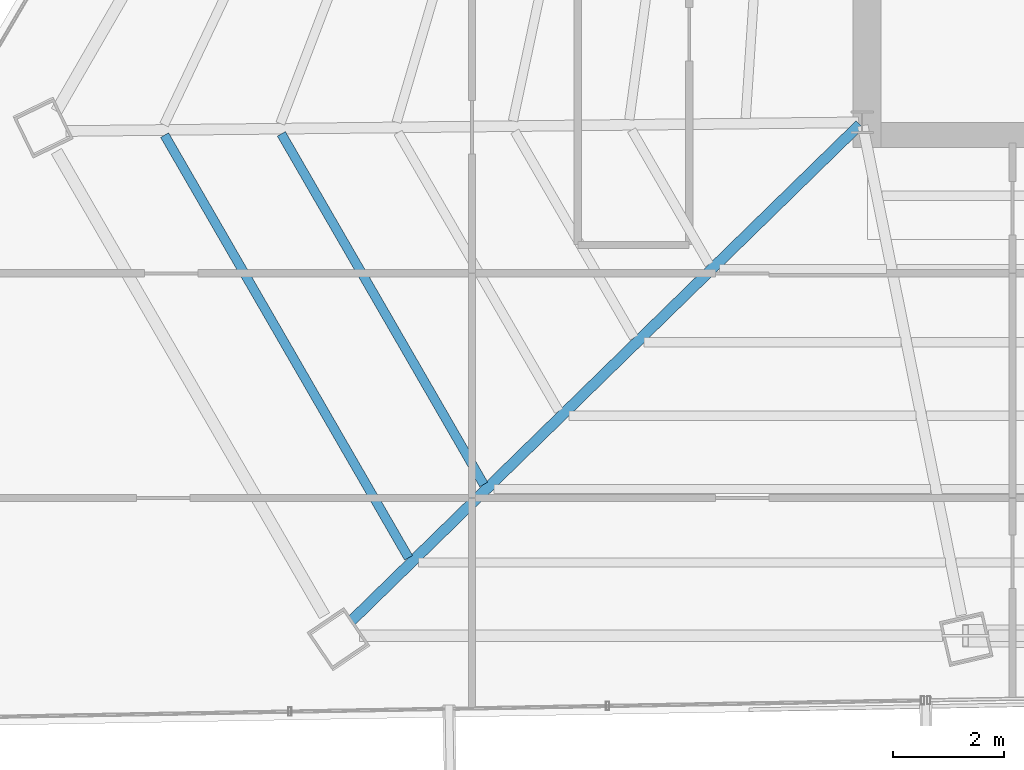
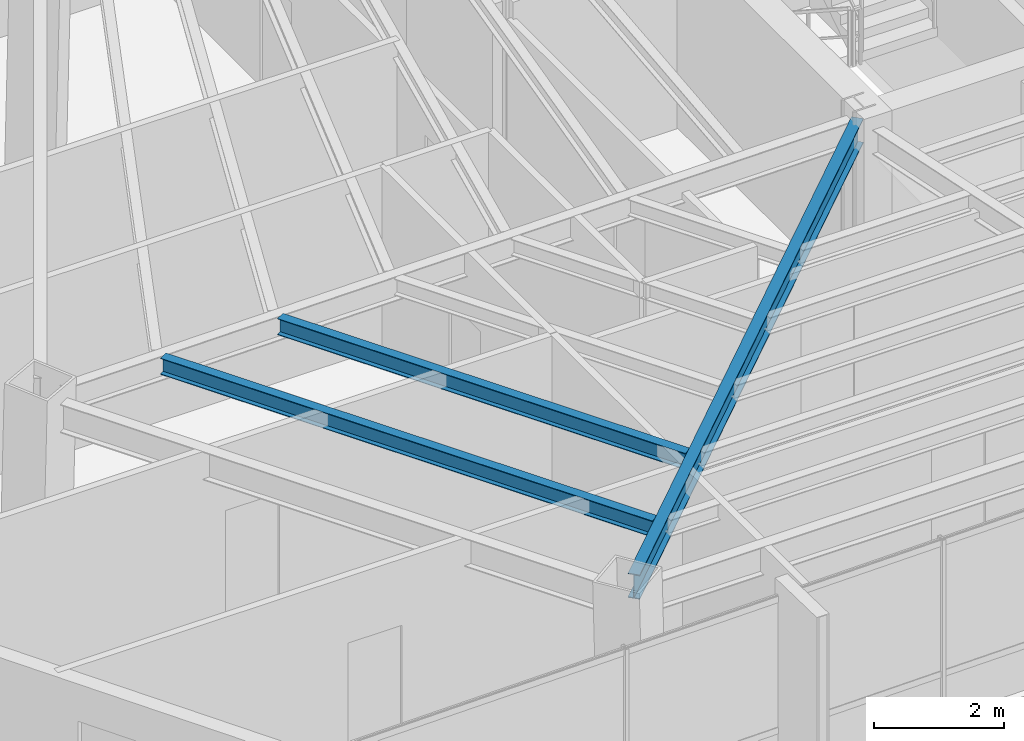
# One storey, part 7 of 42: 3 beams.
"""IFC4 building model written with IfcOpenShell, lengths in metres."""

from ifc_helpers import new_model, si_unit, direction, frame, origin, origin_2d, place, context, subcontext, project, spatial, i_section, extrude, source, transform, mapped, material, material_profile, profile_set, type_object, type_shapes, element, save


model = new_model("IFC4")

# Units and contexts
model_context = context("Model", 3, precision=1e-05, world=origin(), true_north=direction((0.0, 1.0)))
body_context = subcontext(model_context, "Body", "Model", "MODEL_VIEW")
ifc_project = project(units=[si_unit("LENGTHUNIT", "METRE"), si_unit("AREAUNIT", "SQUARE_METRE"), si_unit("VOLUMEUNIT", "CUBIC_METRE"), si_unit("PLANEANGLEUNIT", "RADIAN"), si_unit("MASSUNIT", "GRAM", prefix="KILO")], contexts=[model_context])

# Site, building, storey
site_placement = place(None, origin())
site = spatial("IfcSite", under=ifc_project, at=site_placement, CompositionType="ELEMENT")
building_placement = place(site_placement, origin())
building = spatial("IfcBuilding", under=site, at=building_placement, Name="Caelisora Broadcast Tower", CompositionType="ELEMENT")
storey_placement = place(building_placement, frame((0.0, 0.0, 195.0)))
storey = spatial("IfcBuildingStorey", under=building, at=storey_placement, Name="L51", CompositionType="ELEMENT", Elevation=195.0)

# Beams
ifc_material = material(Name="Steel Grade 350 (AS/NZS 3679.1)", Category="steel")
ifc_material_profile_1 = material_profile(ifc_material, i_section(OverallWidth=0.19091796875, OverallDepth=0.46044921875, WebThickness=0.010009765625, FlangeThickness=0.01611328125, at=origin_2d()), Name="Steel Grade 350 (AS/NZS 3679.1)")
ifc_profile_set_1 = profile_set([ifc_material_profile_1], Name="Steel Grade 350 (AS/NZS 3679.1)")
beam_type_1 = type_object("IfcBeamType", Name="PG06", PredefinedType="BEAM", material=ifc_profile_set_1)
shared_shape_1 = source(origin(), body_context, "Body", "SweptSolid", [
    extrude(i_section(OverallWidth=0.19091796875, OverallDepth=0.46044921875, WebThickness=0.010009765625, FlangeThickness=0.01611328125, at=origin_2d()), origin(), (0.0, 0.0, 1.0), 12.751220703125),
])
type_shapes(beam_type_1, [shared_shape_1])
beam_1_placement = place(storey_placement, frame((30.45703125, 17.358154296875, 3.169921875), z_axis=(-0.715547316722, -0.69856426872, 0.0), x_axis=(0.69856426872, -0.715547316722, 0.0)))
element("IfcBeam", 1, at=beam_1_placement, inside=storey, type_object=beam_type_1, Name="L51 beam PG06", PredefinedType="BEAM", context=body_context, shape_type="MappedRepresentation", body=[
    mapped(shared_shape_1, transform((0.0, 0.0, 0.0), scale=1.0)),
])
ifc_material_profile_2 = material_profile(ifc_material, i_section(OverallWidth=0.166015625, OverallDepth=0.30712890625, WebThickness=0.006591796875, FlangeThickness=0.01171875, at=origin_2d()), Name="Steel Grade 350 (AS/NZS 3679.1)")
ifc_profile_set_2 = profile_set([ifc_material_profile_2], Name="Steel Grade 350 (AS/NZS 3679.1)")
beam_type_2 = type_object("IfcBeamType", Name="SB03", PredefinedType="JOIST", material=ifc_profile_set_2)
shared_shape_2 = source(origin(), body_context, "Body", "SweptSolid", [
    extrude(i_section(OverallWidth=0.166015625, OverallDepth=0.30712890625, WebThickness=0.006591796875, FlangeThickness=0.01171875, at=origin_2d()), origin(), (0.0, 0.0, 1.0), 7.2626953125),
])
beam_2_placement = place(storey_placement, frame((20.080810546875, 17.192626953125, 3.246337890625), z_axis=(0.499993067216, -0.866029406392, 0.0), x_axis=(0.866029406392, 0.499993067216, 0.0)))
element("IfcBeam", 2, at=beam_2_placement, inside=storey, type_object=beam_type_2, Name="L51 beam SB03", PredefinedType="JOIST", context=body_context, shape_type="MappedRepresentation", body=[
    mapped(shared_shape_2, transform((0.0, 0.0, 0.0), scale=1.0)),
])
shared_shape_3 = source(origin(), body_context, "Body", "SweptSolid", [
    extrude(i_section(OverallWidth=0.166015625, OverallDepth=0.30712890625, WebThickness=0.006591796875, FlangeThickness=0.01171875, at=origin_2d()), origin(), (0.0, 0.0, 1.0), 8.755859375),
])
type_shapes(beam_type_2, [shared_shape_2, shared_shape_3])
beam_3_placement = place(storey_placement, frame((17.986083984375, 17.169677734375, 3.246337890625), z_axis=(0.500001630942, -0.866024462158, 0.0), x_axis=(0.866024462158, 0.500001630942, 0.0)))
element("IfcBeam", 3, at=beam_3_placement, inside=storey, type_object=beam_type_2, Name="L51 beam SB03", PredefinedType="JOIST", context=body_context, shape_type="MappedRepresentation", body=[
    mapped(shared_shape_3, transform((0.0, 0.0, 0.0), scale=1.0)),
])

save(model, "model.ifc")
